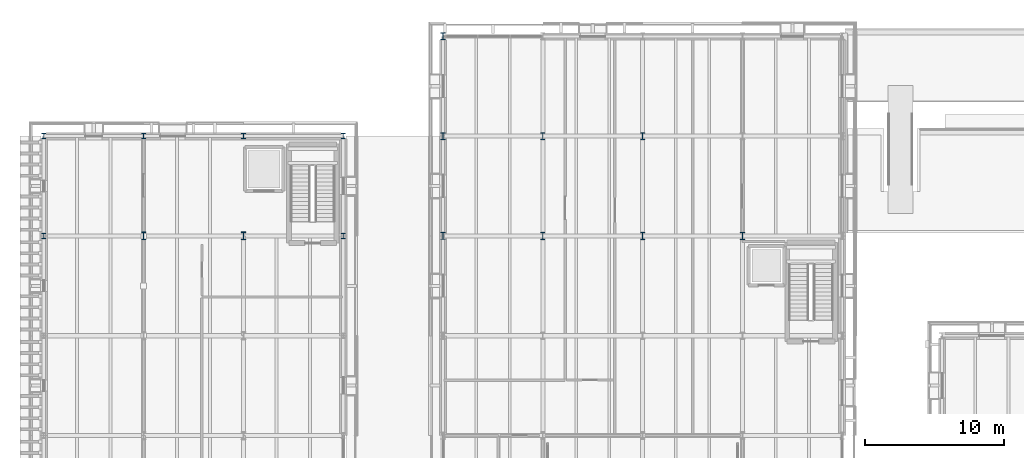
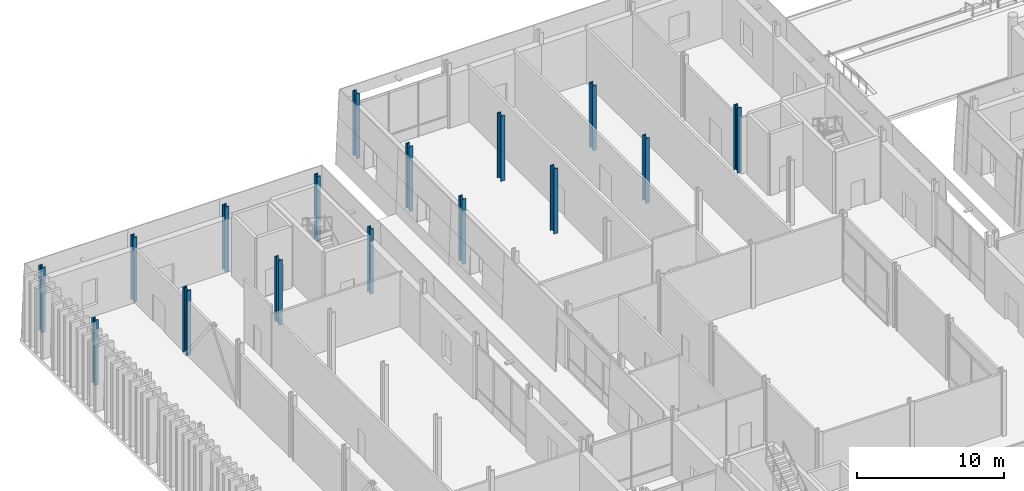
# One storey, part 10 of 120: 16 columns.
"""IFC4 building model written with IfcOpenShell, lengths in metres."""

from ifc_helpers import new_model, si_unit, direction, frame, origin, origin_2d, place, context, subcontext, project, spatial, i_section, extrude, material, material_profile, profile_set, type_object, element, save


model = new_model("IFC4")

# Units and contexts
model_context = context("Model", 3, precision=1e-05, world=origin(), true_north=direction((0.0, 1.0)))
body_context = subcontext(model_context, "Body", "Model", "MODEL_VIEW")
ifc_project = project(units=[si_unit("LENGTHUNIT", "METRE"), si_unit("AREAUNIT", "SQUARE_METRE"), si_unit("VOLUMEUNIT", "CUBIC_METRE"), si_unit("PLANEANGLEUNIT", "RADIAN"), si_unit("MASSUNIT", "GRAM", prefix="KILO")], contexts=[model_context])

# Site, building, storey
site_placement = place(None, origin())
site = spatial("IfcSite", under=ifc_project, at=site_placement, CompositionType="ELEMENT")
building_placement = place(site_placement, origin())
building = spatial("IfcBuilding", under=site, at=building_placement, Name="Narikvali Park Central Library", CompositionType="ELEMENT")
storey_placement = place(building_placement, origin())
storey = spatial("IfcBuildingStorey", under=building, at=storey_placement, Name="L00", CompositionType="ELEMENT", Elevation=0.0)

# Columns
ifc_material = material(Name="Steel S355", Category="steel")
ifc_material_profile_1 = material_profile(ifc_material, i_section(OverallWidth=0.305908203125, OverallDepth=0.52392578125, WebThickness=0.02099609375, FlangeThickness=0.0400390625, FilletRadius=0.027099609375, at=origin_2d()), Name="HEM 500")
ifc_profile_set_1 = profile_set([ifc_material_profile_1], Name="Steel S355")
column_type_1 = type_object("IfcColumnType", Name="Heavy Stack Column HEM500", PredefinedType="COLUMN", material=ifc_profile_set_1)
for number, where, z_axis, x_axis, name in (
    (1, (36.0, 100.800048828125, 0.0), (0.0, 0.0, 1.0), (1.0, 0.0, 0.0), "V4 L00 Column (36.0,100.8)"),
    (2, (36.0, 108.0, 0.0), (0.0, 0.0, 1.0), (1.0, 0.0, 0.0), "V4 L00 Column (36.0,108.0)"),
    (3, (43.199951171875, 100.800048828125, 0.0), (0.0, 0.0, 1.0), (1.0, 0.0, 0.0), "V4 L00 Column (43.2,100.8)"),
    (4, (43.199951171875, 108.0, 0.0), (0.0, 0.0, 1.0), (1.0, 0.0, 0.0), "V4 L00 Column (43.2,108.0)"),
    (5, (50.39990234375, 100.800048828125, 0.0), (0.0, 0.0, 1.0), (1.0, 0.0, 0.0), "V4 L00 Column (50.4,100.8)"),
):
    element("IfcColumn", number, at=place(storey_placement, frame(where, z_axis=z_axis, x_axis=x_axis)), inside=storey, type_object=column_type_1, Name=name, PredefinedType="COLUMN", context=body_context, shape_type="SweptSolid", body=[
        extrude(i_section(OverallWidth=0.305908203125, OverallDepth=0.52392578125, WebThickness=0.02099609375, FlangeThickness=0.0400390625, FilletRadius=0.027099609375, at=origin_2d()), origin(), (0.0, 0.0, 1.0), 5.39990234375),
    ])
ifc_material_profile_2 = material_profile(ifc_material, i_section(OverallWidth=0.305908203125, OverallDepth=0.572021484375, WebThickness=0.02099609375, FlangeThickness=0.0400390625, FilletRadius=0.027099609375, at=origin_2d()), Name="HEM 550")
ifc_profile_set_2 = profile_set([ifc_material_profile_2], Name="Steel S355")
column_type_2 = type_object("IfcColumnType", Name="Heavy Stack Column HEM550", PredefinedType="COLUMN", material=ifc_profile_set_2)
for number, where, z_axis, x_axis, name in (
    (6, (7.199951171875, 100.800048828125, 0.0), (0.0, 0.0, 1.0), (1.0, 0.0, 0.0), "V5 L00 Column (7.2,100.8)"),
    (7, (14.39990234375, 100.800048828125, 0.0), (0.0, 0.0, 1.0), (1.0, 0.0, 0.0), "V5 L00 Column (14.4,100.8)"),
):
    element("IfcColumn", number, at=place(storey_placement, frame(where, z_axis=z_axis, x_axis=x_axis)), inside=storey, type_object=column_type_2, Name=name, PredefinedType="COLUMN", context=body_context, shape_type="SweptSolid", body=[
        extrude(i_section(OverallWidth=0.305908203125, OverallDepth=0.572021484375, WebThickness=0.02099609375, FlangeThickness=0.0400390625, FilletRadius=0.027099609375, at=origin_2d()), origin(), (0.0, 0.0, 1.0), 5.39990234375),
    ])
ifc_material_profile_3 = material_profile(ifc_material, i_section(OverallWidth=0.300048828125, OverallDepth=0.5, WebThickness=0.014404296875, FlangeThickness=0.028076171875, FilletRadius=0.027099609375, at=origin_2d()), Name="HEB 500")
ifc_profile_set_3 = profile_set([ifc_material_profile_3], Name="Steel S355")
column_type_3 = type_object("IfcColumnType", Name="Steel Column HEB500", PredefinedType="COLUMN", material=ifc_profile_set_3)
for number, where, z_axis, x_axis, name in (
    (8, (28.800048828125, 100.800048828125, 0.0), (0.0, 0.0, 1.0), (1.0, 0.0, 0.0), "V4 L00 Column (28.8,100.8)"),
    (9, (28.800048828125, 108.0, 0.0), (0.0, 0.0, 1.0), (1.0, 0.0, 0.0), "V4 L00 Column (28.8,108.0)"),
    (10, (28.800048828125, 115.199951171875, 0.0), (0.0, 0.0, 1.0), (1.0, 0.0, 0.0), "V4 L00 Column (28.8,115.2)"),
):
    element("IfcColumn", number, at=place(storey_placement, frame(where, z_axis=z_axis, x_axis=x_axis)), inside=storey, type_object=column_type_3, Name=name, PredefinedType="COLUMN", context=body_context, shape_type="SweptSolid", body=[
        extrude(i_section(OverallWidth=0.300048828125, OverallDepth=0.5, WebThickness=0.014404296875, FlangeThickness=0.028076171875, FilletRadius=0.027099609375, at=origin_2d()), origin(), (0.0, 0.0, 1.0), 5.39990234375),
    ])
ifc_material_profile_4 = material_profile(ifc_material, i_section(OverallWidth=0.30810546875, OverallDepth=0.39501953125, WebThickness=0.02099609375, FlangeThickness=0.035888671875, FilletRadius=0.027099609375, at=origin_2d()), Name="HEM 360")
ifc_profile_set_4 = profile_set([ifc_material_profile_4], Name="Steel S355")
column_type_4 = type_object("IfcColumnType", Name="Steel Column HEM360", PredefinedType="COLUMN", material=ifc_profile_set_4)
for number, where, z_axis, x_axis, name in (
    (11, (0.0, 100.800048828125, 0.0), (0.0, 0.0, 1.0), (1.0, 0.0, 0.0), "V5 L00 Column (0.0,100.8)"),
    (12, (0.0, 108.0, 0.0), (0.0, 0.0, 1.0), (1.0, 0.0, 0.0), "V5 L00 Column (0.0,108.0)"),
    (13, (7.199951171875, 108.0, 0.0), (0.0, 0.0, 1.0), (1.0, 0.0, 0.0), "V5 L00 Column (7.2,108.0)"),
    (14, (14.39990234375, 108.0, 0.0), (0.0, 0.0, 1.0), (1.0, 0.0, 0.0), "V5 L00 Column (14.4,108.0)"),
    (15, (21.60009765625, 100.800048828125, 0.0), (0.0, 0.0, 1.0), (1.0, 0.0, 0.0), "V5 L00 Column (21.6,100.8)"),
    (16, (21.60009765625, 108.0, 0.0), (0.0, 0.0, 1.0), (1.0, 0.0, 0.0), "V5 L00 Column (21.6,108.0)"),
):
    element("IfcColumn", number, at=place(storey_placement, frame(where, z_axis=z_axis, x_axis=x_axis)), inside=storey, type_object=column_type_4, Name=name, PredefinedType="COLUMN", context=body_context, shape_type="SweptSolid", body=[
        extrude(i_section(OverallWidth=0.30810546875, OverallDepth=0.39501953125, WebThickness=0.02099609375, FlangeThickness=0.035888671875, FilletRadius=0.027099609375, at=origin_2d()), origin(), (0.0, 0.0, 1.0), 5.39990234375),
    ])

save(model, "model.ifc")
